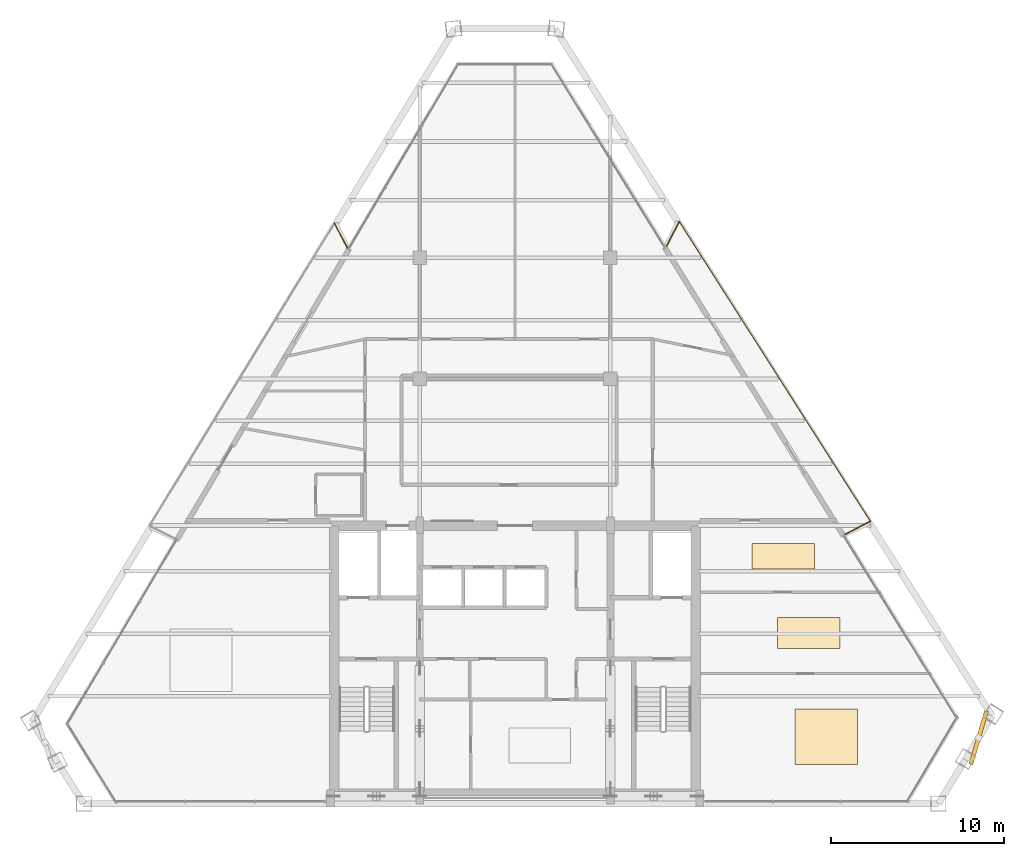
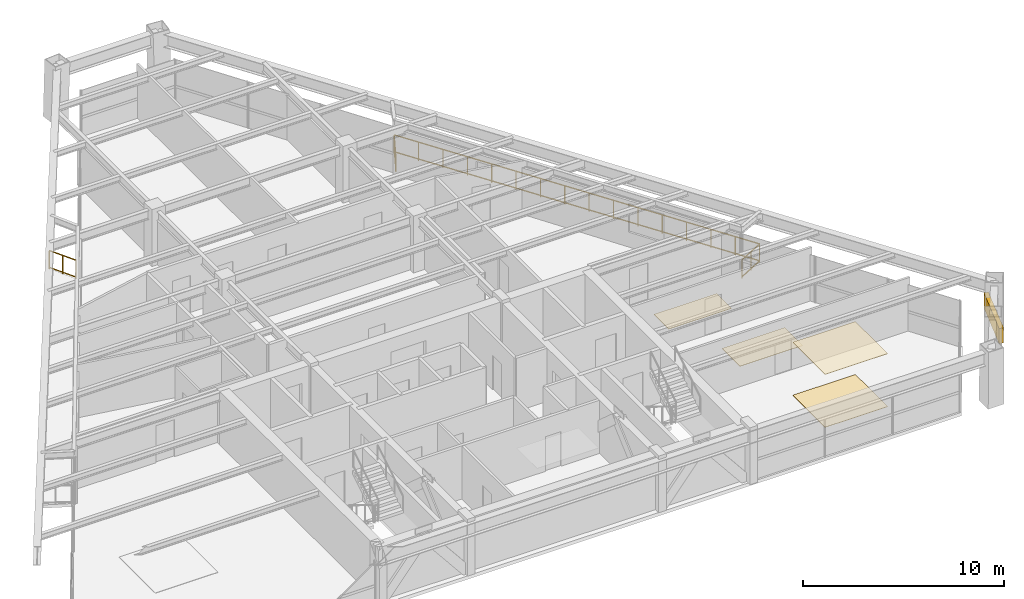
# One storey, part 12 of 12: 4 coverings, 4 railings, 1 shading device.
"""IFC4 building model written with IfcOpenShell, lengths in metres."""

from ifc_helpers import new_model, si_unit, direction, frame, origin, origin_2d, place, context, subcontext, project, spatial, rectangle, extrude, source, transform, mapped, material, layer, layer_set, type_object, type_shapes, element, save


model = new_model("IFC4")

# Units and contexts
model_context = context("Model", 3, precision=1e-05, world=origin(), true_north=direction((0.0, 1.0)))
body_context = subcontext(model_context, "Body", "Model", "MODEL_VIEW")
ifc_project = project(units=[si_unit("LENGTHUNIT", "METRE"), si_unit("AREAUNIT", "SQUARE_METRE"), si_unit("VOLUMEUNIT", "CUBIC_METRE"), si_unit("PLANEANGLEUNIT", "RADIAN"), si_unit("MASSUNIT", "GRAM", prefix="KILO")], contexts=[model_context])

# Site, building, storey
site_placement = place(None, origin())
site = spatial("IfcSite", under=ifc_project, at=site_placement, CompositionType="ELEMENT")
building_placement = place(site_placement, origin())
building = spatial("IfcBuilding", under=site, at=building_placement, Name="Varnakhor Terracotta Tower", CompositionType="ELEMENT")
storey_placement = place(building_placement, frame((0.0, 0.0, 233.800048828125)))
storey = spatial("IfcBuildingStorey", under=building, at=storey_placement, Name="L60", CompositionType="ELEMENT", Elevation=233.800048828125)

# Railings
ifc_material_1 = material(Name="Stainless Steel & Laminated Glass Guardrail", Category="steel")
railing_type = type_object("IfcRailingType", Name="RLG-LOGGIA-GUARD-1150", PredefinedType="GUARDRAIL", material=ifc_material_1)
railing_1_placement = place(storey_placement, frame((8.743408203125, 32.17236328125, 0.0)))
element("IfcRailing", 1, at=railing_1_placement, inside=storey, type_object=railing_type, Name="L60 E Loggia Glass Guard 1", PredefinedType="GUARDRAIL", context=body_context, shape_type="SweptSolid", body=[
    extrude(rectangle(XDim=0.048095703125, YDim=0.048095703125, at=origin_2d()), frame((0.0, 0.0, 1.1259765625), z_axis=(0.461483417522, 0.88714883495, 0.0), x_axis=(-0.88714883495, 0.461483417522, 0.0)), (0.0, 0.0, 1.0), 1.588134765625),
    extrude(rectangle(XDim=0.048095703125, YDim=0.048095703125, at=origin_2d()), frame((0.0, 0.0, 0.10009765625), z_axis=(0.461483417522, 0.88714883495, 0.0), x_axis=(-0.88714883495, 0.461483417522, 0.0)), (0.0, 0.0, 1.0), 1.588134765625),
    extrude(rectangle(XDim=0.0419921875, YDim=0.0419921875, at=origin_2d()), origin(), (0.0, 0.0, 1.0), 1.101806640625),
    extrude(rectangle(XDim=0.0419921875, YDim=0.0419921875, at=origin_2d()), frame((0.366455078125, 0.70458984375, 0.0)), (0.0, 0.0, 1.0), 1.101806640625),
    extrude(rectangle(XDim=0.0419921875, YDim=0.0419921875, at=origin_2d()), frame((0.73291015625, 1.408935546875, 0.0)), (0.0, 0.0, 1.0), 1.101806640625),
])
railing_2_placement = place(storey_placement, frame((9.476318359375, 33.581298828125, 0.0)))
element("IfcRailing", 2, at=railing_2_placement, inside=storey, type_object=railing_type, Name="L60 E Loggia Glass Guard 2", PredefinedType="GUARDRAIL", context=body_context, shape_type="SweptSolid", body=[
    extrude(rectangle(XDim=0.048095703125, YDim=0.048095703125, at=origin_2d()), frame((0.0, 0.0, 1.1259765625), z_axis=(0.537530987199, -0.843243996599, 0.0), x_axis=(0.843243996599, 0.537530987199, 0.0)), (0.0, 0.0, 1.0), 20.50390625),
    extrude(rectangle(XDim=0.048095703125, YDim=0.048095703125, at=origin_2d()), frame((0.0, 0.0, 0.10009765625), z_axis=(0.537530987199, -0.843243996599, 0.0), x_axis=(0.843243996599, 0.537530987199, 0.0)), (0.0, 0.0, 1.0), 20.50390625),
    extrude(rectangle(XDim=0.0419921875, YDim=0.0419921875, at=origin_2d()), origin(), (0.0, 0.0, 1.0), 1.101806640625),
    extrude(rectangle(XDim=0.0419921875, YDim=0.0419921875, at=origin_2d()), frame((0.73486328125, -1.152587890625, 0.0)), (0.0, 0.0, 1.0), 1.101806640625),
    extrude(rectangle(XDim=0.0419921875, YDim=0.0419921875, at=origin_2d()), frame((1.469482421875, -2.305419921875, 0.0)), (0.0, 0.0, 1.0), 1.101806640625),
    extrude(rectangle(XDim=0.0419921875, YDim=0.0419921875, at=origin_2d()), frame((2.204345703125, -3.4580078125, 0.0)), (0.0, 0.0, 1.0), 1.101806640625),
    extrude(rectangle(XDim=0.0419921875, YDim=0.0419921875, at=origin_2d()), frame((2.93896484375, -4.610595703125, 0.0)), (0.0, 0.0, 1.0), 1.101806640625),
    extrude(rectangle(XDim=0.0419921875, YDim=0.0419921875, at=origin_2d()), frame((3.673828125, -5.76318359375, 0.0)), (0.0, 0.0, 1.0), 1.101806640625),
    extrude(rectangle(XDim=0.0419921875, YDim=0.0419921875, at=origin_2d()), frame((4.40869140625, -6.916015625, 0.0)), (0.0, 0.0, 1.0), 1.101806640625),
    extrude(rectangle(XDim=0.0419921875, YDim=0.0419921875, at=origin_2d()), frame((5.143310546875, -8.068603515625, 0.0)), (0.0, 0.0, 1.0), 1.101806640625),
    extrude(rectangle(XDim=0.0419921875, YDim=0.0419921875, at=origin_2d()), frame((5.878173828125, -9.22119140625, 0.0)), (0.0, 0.0, 1.0), 1.101806640625),
    extrude(rectangle(XDim=0.0419921875, YDim=0.0419921875, at=origin_2d()), frame((6.61279296875, -10.373779296875, 0.0)), (0.0, 0.0, 1.0), 1.101806640625),
    extrude(rectangle(XDim=0.0419921875, YDim=0.0419921875, at=origin_2d()), frame((7.34765625, -11.526611328125, 0.0)), (0.0, 0.0, 1.0), 1.101806640625),
    extrude(rectangle(XDim=0.0419921875, YDim=0.0419921875, at=origin_2d()), frame((8.08251953125, -12.67919921875, 0.0)), (0.0, 0.0, 1.0), 1.101806640625),
    extrude(rectangle(XDim=0.0419921875, YDim=0.0419921875, at=origin_2d()), frame((8.817138671875, -13.831787109375, 0.0)), (0.0, 0.0, 1.0), 1.101806640625),
    extrude(rectangle(XDim=0.0419921875, YDim=0.0419921875, at=origin_2d()), frame((9.552001953125, -14.984375, 0.0)), (0.0, 0.0, 1.0), 1.101806640625),
    extrude(rectangle(XDim=0.0419921875, YDim=0.0419921875, at=origin_2d()), frame((10.28662109375, -16.13720703125, 0.0)), (0.0, 0.0, 1.0), 1.101806640625),
    extrude(rectangle(XDim=0.0419921875, YDim=0.0419921875, at=origin_2d()), frame((11.021484375, -17.289794921875, 0.0)), (0.0, 0.0, 1.0), 1.101806640625),
])
railing_3_placement = place(storey_placement, frame((20.497802734375, 16.29150390625, 0.0)))
element("IfcRailing", 3, at=railing_3_placement, inside=storey, type_object=railing_type, Name="L60 E Loggia Glass Guard 3", PredefinedType="GUARDRAIL", context=body_context, shape_type="SweptSolid", body=[
    extrude(rectangle(XDim=0.048095703125, YDim=0.048095703125, at=origin_2d()), frame((0.0, 0.0, 1.1259765625), z_axis=(-0.886145618301, -0.463406887267, 0.0), x_axis=(0.463406887267, -0.886145618301, 0.0)), (0.0, 0.0, 1.0), 1.626953125),
    extrude(rectangle(XDim=0.048095703125, YDim=0.048095703125, at=origin_2d()), frame((0.0, 0.0, 0.10009765625), z_axis=(-0.886145618301, -0.463406887267, 0.0), x_axis=(0.463406887267, -0.886145618301, 0.0)), (0.0, 0.0, 1.0), 1.626953125),
    extrude(rectangle(XDim=0.0419921875, YDim=0.0419921875, at=origin_2d()), origin(), (0.0, 0.0, 1.0), 1.101806640625),
    extrude(rectangle(XDim=0.0419921875, YDim=0.0419921875, at=origin_2d()), frame((-0.720703125, -0.376953125, 0.0)), (0.0, 0.0, 1.0), 1.101806640625),
    extrude(rectangle(XDim=0.0419921875, YDim=0.0419921875, at=origin_2d()), frame((-1.441650390625, -0.75390625, 0.0)), (0.0, 0.0, 1.0), 1.101806640625),
])
railing_4_placement = place(storey_placement, frame((-10.42041015625, 33.480224609375, 0.0)))
element("IfcRailing", 4, at=railing_4_placement, inside=storey, type_object=railing_type, Name="L60 W Loggia Glass Guard 3", PredefinedType="GUARDRAIL", context=body_context, shape_type="SweptSolid", body=[
    extrude(rectangle(XDim=0.048095703125, YDim=0.048095703125, at=origin_2d()), frame((0.0, 0.0, 1.1259765625), z_axis=(0.464559261672, -0.885542033104, 0.0), x_axis=(0.885542033104, 0.464559261672, 0.0)), (0.0, 0.0, 1.0), 1.58544921875),
    extrude(rectangle(XDim=0.048095703125, YDim=0.048095703125, at=origin_2d()), frame((0.0, 0.0, 0.10009765625), z_axis=(0.464559261672, -0.885542033104, 0.0), x_axis=(0.885542033104, 0.464559261672, 0.0)), (0.0, 0.0, 1.0), 1.58544921875),
    extrude(rectangle(XDim=0.0419921875, YDim=0.0419921875, at=origin_2d()), origin(), (0.0, 0.0, 1.0), 1.101806640625),
    extrude(rectangle(XDim=0.0419921875, YDim=0.0419921875, at=origin_2d()), frame((0.3681640625, -0.7021484375, 0.0)), (0.0, 0.0, 1.0), 1.101806640625),
    extrude(rectangle(XDim=0.0419921875, YDim=0.0419921875, at=origin_2d()), frame((0.736572265625, -1.404052734375, 0.0)), (0.0, 0.0, 1.0), 1.101806640625),
])

# Shading device
ifc_material_2 = material(Name="Extruded Architectural Terracotta Screen", Category="masonry")
shading_device_type = type_object("IfcShadingDeviceType", Name="TERRACOTTA SOLAR SCREEN E", PredefinedType="USERDEFINED", material=ifc_material_2)
shared_shape_1 = source(origin(), body_context, "Body", "SweptSolid", [
    extrude(rectangle(XDim=3.199951171875, YDim=0.239990234375, at=origin_2d()), origin(), (0.0, 0.0, 1.0), 0.919921875),
])
type_shapes(shading_device_type, [shared_shape_1])
shading_device_placement = place(storey_placement, frame((26.74560546875, 3.79736328125, 1.56201171875), z_axis=(0.0, 0.0, 1.0), x_axis=(0.281855868263, 0.959456757507, 0.0)))
element("IfcShadingDevice", 5, at=shading_device_placement, inside=storey, type_object=shading_device_type, Name="L60 E Terracotta Solar Screen", ObjectType="SCREEN", PredefinedType="USERDEFINED", context=body_context, shape_type="MappedRepresentation", body=[
    mapped(shared_shape_1, transform((0.0, 0.0, 0.0), scale=1.0)),
])

# Coverings
ifc_material_3 = material(Name="Honed Riyadh Limestone Flooring", Category="masonry")
ifc_layer_1 = layer(ifc_material_3, 0.030029296875, Name="Honed Riyadh Limestone Flooring")
ifc_layer_set_1 = layer_set([ifc_layer_1], Name="Honed Riyadh Limestone Flooring")
covering_type_1 = type_object("IfcCoveringType", Name="COV-FLOOR-LIMESTONE", PredefinedType="FLOORING", material=ifc_layer_set_1)
shared_shape_2 = source(origin(), body_context, "Body", "SweptSolid", [
    extrude(rectangle(XDim=3.60009765625, YDim=3.217041015625, at=origin_2d()), origin(), (0.0, 0.0, 1.0), 0.02001953125),
])
covering_1_placement = place(storey_placement, frame((17.950927734375, 3.85400390625, 0.0), z_axis=(0.0, 0.0, 1.0), x_axis=(1.0, 0.0, 0.0)))
element("IfcCovering", 6, at=covering_1_placement, inside=storey, type_object=covering_type_1, Name="L60 Honed Stone Flooring 2", PredefinedType="FLOORING", context=body_context, shape_type="MappedRepresentation", body=[
    mapped(shared_shape_2, transform((0.0, 0.0, 0.0), scale=1.0)),
])
shared_shape_3 = source(origin(), body_context, "Body", "SweptSolid", [
    extrude(rectangle(XDim=3.60009765625, YDim=1.7919921875, at=origin_2d()), origin(), (0.0, 0.0, 1.0), 0.02001953125),
])
covering_2_placement = place(storey_placement, frame((16.93408203125, 9.85009765625, 0.0), z_axis=(0.0, 0.0, 1.0), x_axis=(1.0, 0.0, 0.0)))
element("IfcCovering", 7, at=covering_2_placement, inside=storey, type_object=covering_type_1, Name="L60 Honed Stone Flooring 4", PredefinedType="FLOORING", context=body_context, shape_type="MappedRepresentation", body=[
    mapped(shared_shape_3, transform((0.0, 0.0, 0.0), scale=1.0)),
])
ifc_material_4 = material(Name="Perforated Acoustic Mineral-Fibre Ceiling", Category="gypsum")
ifc_layer_2 = layer(ifc_material_4, 0.02490234375, Name="Perforated Acoustic Mineral-Fibre Ceiling")
ifc_layer_set_2 = layer_set([ifc_layer_2], Name="Perforated Acoustic Mineral-Fibre Ceiling")
covering_type_2 = type_object("IfcCoveringType", Name="COV-CEILING-ACOUSTIC", PredefinedType="CEILING", material=ifc_layer_set_2)
shared_shape_4 = source(origin(), body_context, "Body", "SweptSolid", [
    extrude(rectangle(XDim=3.60009765625, YDim=3.217041015625, at=origin_2d()), origin(), (0.0, 0.0, 1.0), 0.02392578125),
])
covering_3_placement = place(storey_placement, frame((17.950927734375, 3.85400390625, 3.216064453125), z_axis=(0.0, 0.0, 1.0), x_axis=(1.0, 0.0, 0.0)))
element("IfcCovering", 8, at=covering_3_placement, inside=storey, type_object=covering_type_2, Name="L60 Acoustic Ceiling Panel 2", PredefinedType="CEILING", context=body_context, shape_type="MappedRepresentation", body=[
    mapped(shared_shape_4, transform((0.0, 0.0, 0.0), scale=1.0)),
])
shared_shape_5 = source(origin(), body_context, "Body", "SweptSolid", [
    extrude(rectangle(XDim=3.60009765625, YDim=1.47412109375, at=origin_2d()), origin(), (0.0, 0.0, 1.0), 0.02001953125),
])
covering_4_placement = place(storey_placement, frame((15.47705078125, 14.260986328125, 0.0), z_axis=(0.0, 0.0, 1.0), x_axis=(1.0, 0.0, 0.0)))
element("IfcCovering", 9, at=covering_4_placement, inside=storey, type_object=covering_type_1, Name="L60 Honed Stone Flooring 5", PredefinedType="FLOORING", context=body_context, shape_type="MappedRepresentation", body=[
    mapped(shared_shape_5, transform((0.0, 0.0, 0.0), scale=1.0)),
])

save(model, "model.ifc")
